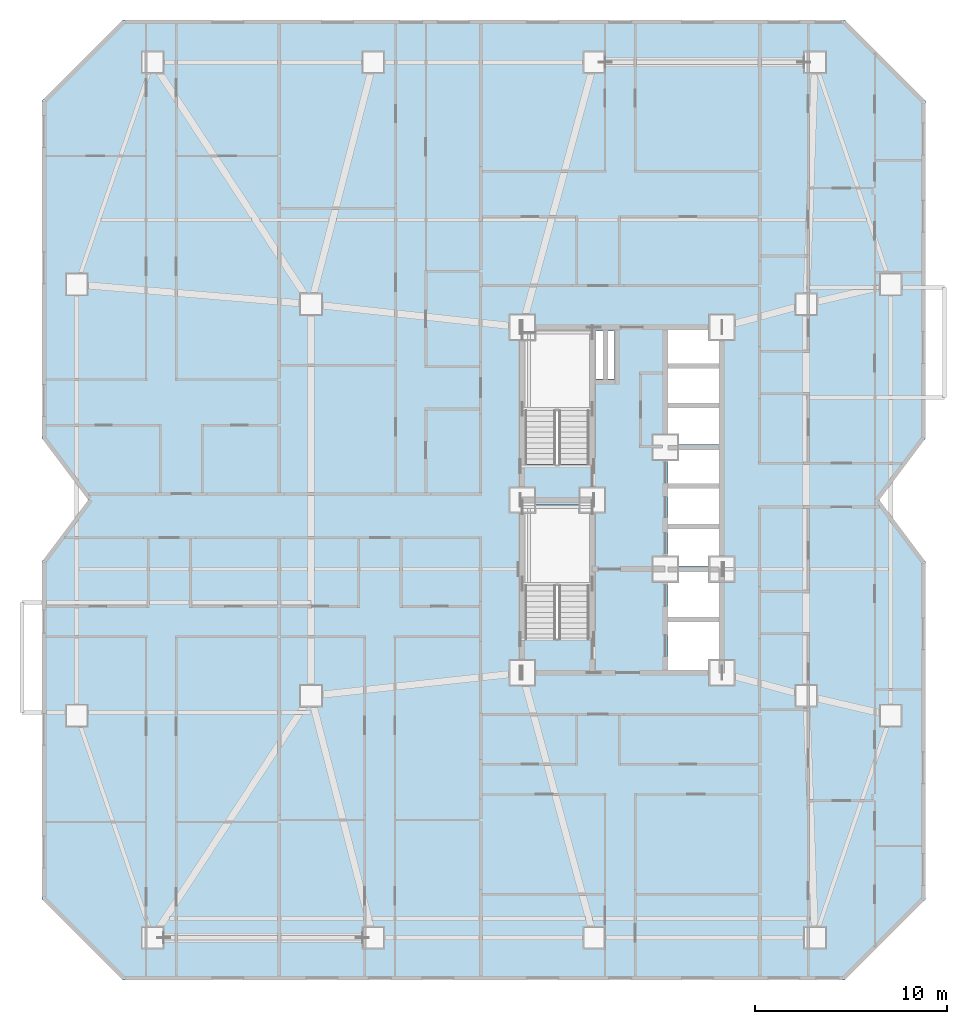
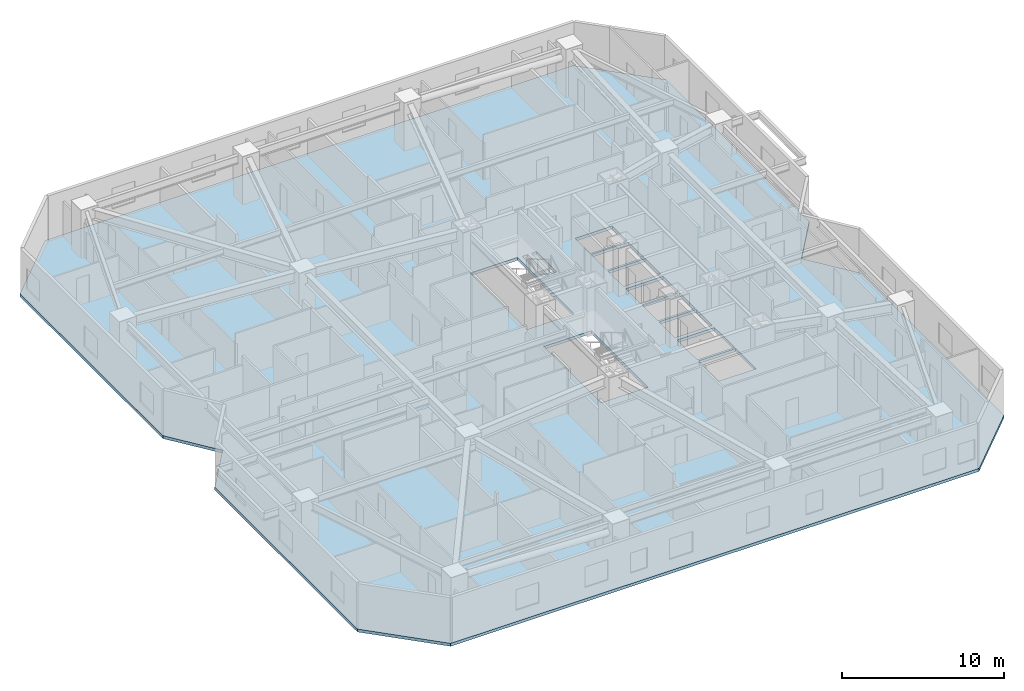
# One storey, part 3 of 14: 1 slab.
"""IFC4 building model written with IfcOpenShell, lengths in metres."""

from ifc_helpers import new_model, si_unit, direction, frame, origin, place, context, subcontext, project, spatial, polyline, outline, extrude, material, layer, layer_set, type_object, element, save


model = new_model("IFC4")

# Units and contexts
model_context = context("Model", 3, precision=1e-05, world=origin(), true_north=direction((0.0, 1.0)))
body_context = subcontext(model_context, "Body", "Model", "MODEL_VIEW")
ifc_project = project(units=[si_unit("LENGTHUNIT", "METRE"), si_unit("AREAUNIT", "SQUARE_METRE"), si_unit("VOLUMEUNIT", "CUBIC_METRE"), si_unit("PLANEANGLEUNIT", "RADIAN"), si_unit("MASSUNIT", "GRAM", prefix="KILO")], contexts=[model_context])

# Site, building, storey
site_placement = place(None, origin())
site = spatial("IfcSite", under=ifc_project, at=site_placement, CompositionType="ELEMENT")
building_placement = place(site_placement, origin())
building = spatial("IfcBuilding", under=site, at=building_placement, Name="Khamvora Tower", CompositionType="ELEMENT")
storey_placement = place(building_placement, frame((0.0, 0.0, 40.60009765625)))
storey = spatial("IfcBuildingStorey", under=building, at=storey_placement, Name="L09", CompositionType="ELEMENT", Elevation=40.60009765625)

# Slab
ifc_material = material(Name="Concrete C35/45", Category="concrete")
ifc_layer = layer(ifc_material, 0.219970703125)
ifc_layer_set = layer_set([ifc_layer], Name="Concrete C35/45")
slab_type = type_object("IfcSlabType", Name="SLB-TYP-220", PredefinedType="FLOOR", material=ifc_layer_set)
slab_placement = place(storey_placement, frame((0.0, 0.0, -0.22021484375)))
element("IfcSlab", 1, at=slab_placement, inside=storey, type_object=slab_type, Name="L09 structural floor slab", PredefinedType="FLOOR", context=body_context, shape_type="SweptSolid", body=[
    extrude(outline(polyline([(8.199951171875, 3.0), (45.800048828125, 3.0), (50.0, 7.199951171875), (50.0, 24.800048828125), (47.60009765625, 28.0), (50.0, 31.199951171875), (50.0, 48.800048828125), (45.800048828125, 53.0), (8.199951171875, 53.0), (4.0, 48.800048828125), (4.0, 31.199951171875), (6.39990234375, 28.0), (4.0, 24.800048828125), (4.0, 7.199951171875), (8.199951171875, 3.0)]), holes=[polyline([(32.5, 20.760009765625), (32.5, 27.75), (29.14990234375, 27.75), (29.14990234375, 20.760009765625), (32.5, 20.760009765625)]), polyline([(32.5, 29.860107421875), (32.5, 36.85009765625), (29.14990234375, 36.85009765625), (29.14990234375, 29.860107421875), (32.5, 29.860107421875)]), polyline([(36.60009765625, 19.14990234375), (39.25, 19.14990234375), (39.25, 21.64990234375), (36.60009765625, 21.64990234375), (36.60009765625, 19.14990234375)]), polyline([(36.60009765625, 21.800048828125), (39.25, 21.800048828125), (39.25, 24.25), (36.60009765625, 24.25), (36.60009765625, 21.800048828125)]), polyline([(36.60009765625, 24.550048828125), (39.25, 24.550048828125), (39.25, 26.5), (36.60009765625, 26.5), (36.60009765625, 24.550048828125)]), polyline([(36.60009765625, 26.64990234375), (39.25, 26.64990234375), (39.25, 28.60009765625), (36.60009765625, 28.60009765625), (36.60009765625, 26.64990234375)]), polyline([(36.60009765625, 28.75), (39.25, 28.75), (39.25, 30.60009765625), (36.60009765625, 30.60009765625), (36.60009765625, 28.75)]), polyline([(36.60009765625, 30.89990234375), (39.25, 30.89990234375), (39.25, 32.800048828125), (36.60009765625, 32.800048828125), (36.60009765625, 30.89990234375)]), polyline([(36.60009765625, 32.949951171875), (39.25, 32.949951171875), (39.25, 34.85009765625), (36.60009765625, 34.85009765625), (36.60009765625, 32.949951171875)]), polyline([(36.60009765625, 35.0), (39.25, 35.0), (39.25, 36.85009765625), (36.60009765625, 36.85009765625), (36.60009765625, 35.0)]), polyline([(32.800048828125, 34.300048828125), (33.199951171875, 34.300048828125), (33.199951171875, 36.800048828125), (32.800048828125, 36.800048828125), (32.800048828125, 34.300048828125)]), polyline([(33.47998046875, 34.300048828125), (33.820068359375, 34.300048828125), (33.820068359375, 36.800048828125), (33.47998046875, 36.800048828125), (33.47998046875, 34.300048828125)])]), origin(), (0.0, 0.0, 1.0), 0.22021484375),
])

save(model, "model.ifc")
